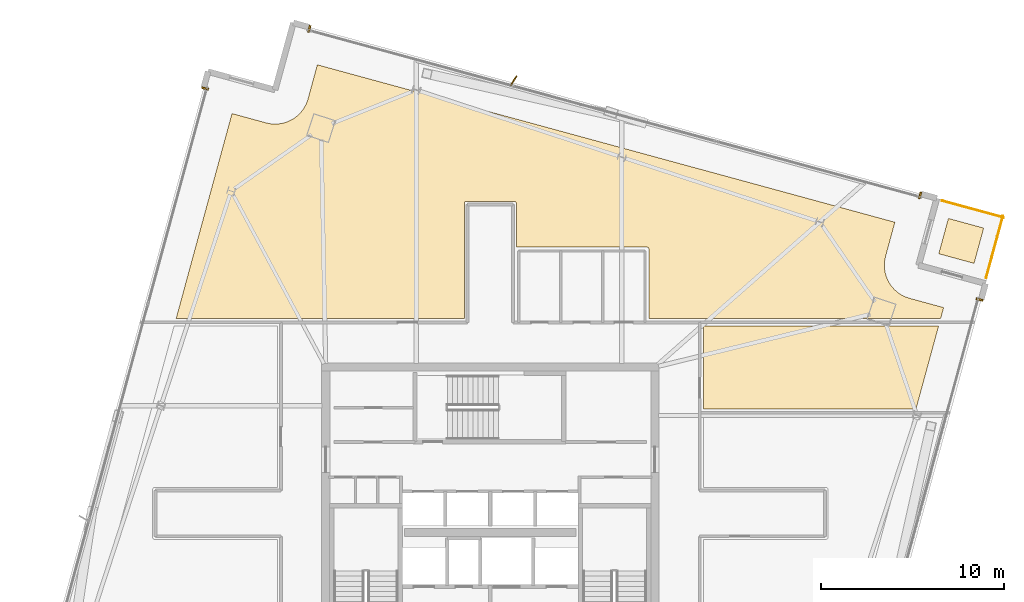
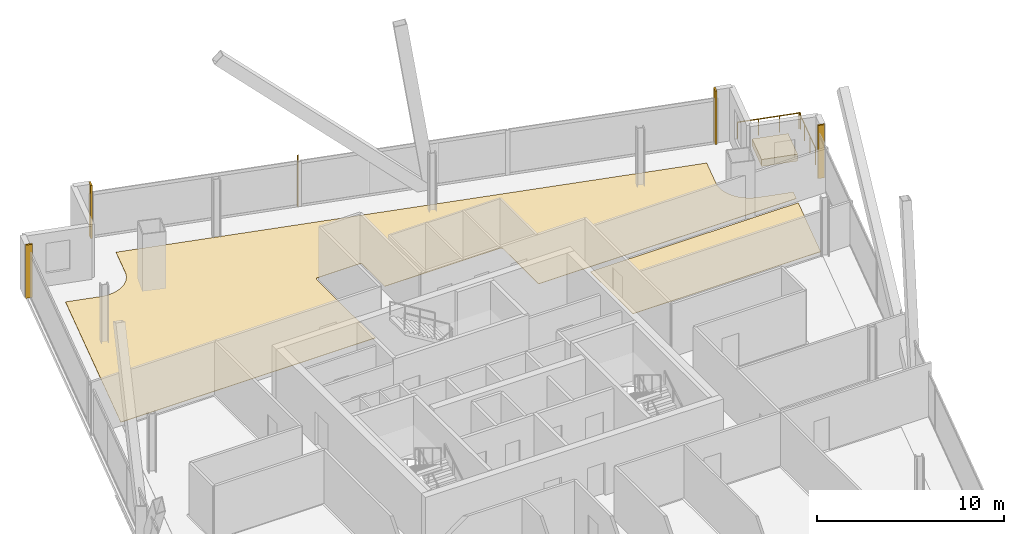
# One storey, part 26 of 26: 7 coverings, 2 railings, 1 shading device.
"""IFC4 building model written with IfcOpenShell, lengths in metres."""

import ifcopenshell
import ifcopenshell.guid

model = None  # the IFC model being written
_history = None  # IfcOwnerHistory: only IFC2X3 demands one
_inside = {}  # id of a spatial element -> (the spatial element, [elements in it])
_under = {}  # id of a project, library or spatial element -> (it, [spatial elements below it])
_declared = {}  # id of a project -> (the project, [libraries it declares])
_typed = {}  # id of a type object -> (the type object, [elements of that type])
_made_of = {}  # id of a material, layer set ... -> (it, [elements and type objects made of it])


def new_model(schema):
    """Start an empty IFC model of exactly this schema.

    Asked for "IFC4X3", IfcOpenShell would pick the latest addendum, in which some entities
    have other attributes; the version numbers below select the first issue.
    IFC2X3 requires an IfcOwnerHistory on every rooted entity: one is made here for all.
    """
    global model, _history
    if schema == "IFC4X3":
        model = ifcopenshell.file(schema_version=(4, 3, 0, 0))
    else:
        model = ifcopenshell.file(schema=schema)
    _inside.clear()
    _under.clear()
    _declared.clear()
    _typed.clear()
    _made_of.clear()
    _history = None
    if model.schema == "IFC2X3":
        org = make("IfcOrganization", Name="unknown")
        user = make(
            "IfcPersonAndOrganization",
            ThePerson=make("IfcPerson", FamilyName="unknown"),
            TheOrganization=org,
        )
        app = make(
            "IfcApplication",
            ApplicationDeveloper=org,
            Version="unknown",
            ApplicationFullName="unknown",
            ApplicationIdentifier="unknown",
        )
        _history = make(
            "IfcOwnerHistory",
            OwningUser=user,
            OwningApplication=app,
            ChangeAction="ADDED",
            CreationDate=0,
        )
    return model


def make(cls, **values):
    """One entity of the class cls with the attributes given. An attribute that is None is left unset."""
    return model.create_entity(
        cls, **{name: value for name, value in values.items() if value is not None}
    )


def rooted(cls, **values):
    """An entity with a GlobalId (a new one), such as an element, a storey or a relation."""
    return make(cls, GlobalId=ifcopenshell.guid.new(), OwnerHistory=_history, **values)


def si_unit(unit_type, name, prefix=None):
    """IfcSIUnit, for example si_unit("LENGTHUNIT", "METRE", prefix="MILLI")."""
    return make("IfcSIUnit", UnitType=unit_type, Prefix=prefix, Name=name)


def assignment(units):
    """IfcUnitAssignment: the units of a project."""
    return None if units is None else make("IfcUnitAssignment", Units=units)


def point(xyz):
    """IfcCartesianPoint."""
    return None if xyz is None else make("IfcCartesianPoint", Coordinates=xyz)


def direction(xyz):
    """IfcDirection."""
    return None if xyz is None else make("IfcDirection", DirectionRatios=xyz)


def frame(location, z_axis=None, x_axis=None):
    """IfcAxis2Placement3D, a coordinate frame: its origin and axes. An axis left out is left unset."""
    return make(
        "IfcAxis2Placement3D",
        Location=point(location),
        Axis=direction(z_axis),
        RefDirection=direction(x_axis),
    )


def frame_2d(location, x_axis=None):
    """IfcAxis2Placement2D, a coordinate frame in the plane: its origin and x axis."""
    return make(
        "IfcAxis2Placement2D", Location=point(location), RefDirection=direction(x_axis)
    )


def origin():
    """The frame at (0, 0, 0) with its axes left unset."""
    return frame((0.0, 0.0, 0.0))


def origin_2d():
    """The frame at (0, 0) in the plane with its x axis left unset."""
    return frame_2d((0.0, 0.0))


def place(relative_to, where):
    """IfcLocalPlacement: puts the frame where relative to a parent placement (None: the world)."""
    return make(
        "IfcLocalPlacement", PlacementRelTo=relative_to, RelativePlacement=where
    )


def context(
    kind, dimensions, precision=None, world=None, true_north=None, identifier=None
):
    """IfcGeometricRepresentationContext, for example the 3D "Model" context."""
    return make(
        "IfcGeometricRepresentationContext",
        ContextIdentifier=identifier,
        ContextType=kind,
        CoordinateSpaceDimension=dimensions,
        Precision=precision,
        WorldCoordinateSystem=world,
        TrueNorth=true_north,
    )


def subcontext(parent, identifier, kind, view, scale=None):
    """IfcGeometricRepresentationSubContext, for example "Body" below "Model"."""
    return make(
        "IfcGeometricRepresentationSubContext",
        ContextIdentifier=identifier,
        ContextType=kind,
        ParentContext=parent,
        TargetScale=scale,
        TargetView=view,
    )


def project(units=None, contexts=None):
    """IfcProject with its units and contexts."""
    return rooted(
        "IfcProject",
        Name="project",
        RepresentationContexts=contexts,
        UnitsInContext=assignment(units),
    )


def spatial(cls, under=None, at=None, **own):
    """A site, building, storey or space (cls), placed at a placement, below another one or the project."""
    s = rooted(cls, ObjectPlacement=at, **own)
    if under is not None:
        _under.setdefault(under.id(), (under, []))[1].append(s)
    return s


def polyline(points):
    """IfcPolyline through the points."""
    return make("IfcPolyline", Points=[point(p) for p in points])


def profile(cls, at=None, kind="AREA", **sizes):
    """A parametric profile (cls). Its sizes go by their IFC names, for example OverallWidth=200.0."""
    return make(cls, ProfileType=kind, Position=at, **sizes)


def rectangle(**sizes):
    """IfcRectangleProfileDef."""
    return profile("IfcRectangleProfileDef", **sizes)


def outline(outer, holes=None, kind="AREA"):
    """IfcArbitraryClosedProfileDef: a profile drawn as a closed curve; with holes, ...WithVoids."""
    if holes is None:
        return make("IfcArbitraryClosedProfileDef", ProfileType=kind, OuterCurve=outer)
    return make(
        "IfcArbitraryProfileDefWithVoids",
        ProfileType=kind,
        OuterCurve=outer,
        InnerCurves=holes,
    )


def extrude(swept, where, along, depth):
    """IfcExtrudedAreaSolid: the profile swept, set in the frame where, extruded along a direction by depth."""
    return make(
        "IfcExtrudedAreaSolid",
        SweptArea=swept,
        Position=where,
        ExtrudedDirection=direction(along),
        Depth=depth,
    )


def shape(context_of_items, identifier, shape_type, items):
    """IfcShapeRepresentation: the items that make up one representation, for example the "Body"."""
    return make(
        "IfcShapeRepresentation",
        ContextOfItems=context_of_items,
        RepresentationIdentifier=identifier,
        RepresentationType=shape_type,
        Items=items,
    )


def source(mapping_origin, context_of_items, identifier, shape_type, items):
    """IfcRepresentationMap: a shape defined once, which mapped items show again and again."""
    return make(
        "IfcRepresentationMap",
        MappingOrigin=mapping_origin,
        MappedRepresentation=shape(context_of_items, identifier, shape_type, items),
    )


def transform(
    local_origin,
    x_axis=None,
    y_axis=None,
    z_axis=None,
    scale=None,
    scale2=None,
    scale3=None,
    uniform=True,
):
    """IfcCartesianTransformationOperator3D, or its non-uniform kind. x_axis, y_axis, z_axis: its Axis1, 2, 3."""
    if uniform:
        return make(
            "IfcCartesianTransformationOperator3D",
            Axis1=direction(x_axis),
            Axis2=direction(y_axis),
            LocalOrigin=point(local_origin),
            Scale=scale,
            Axis3=direction(z_axis),
        )
    return make(
        "IfcCartesianTransformationOperator3DnonUniform",
        Axis1=direction(x_axis),
        Axis2=direction(y_axis),
        LocalOrigin=point(local_origin),
        Scale=scale,
        Axis3=direction(z_axis),
        Scale2=scale2,
        Scale3=scale3,
    )


def mapped(mapping_source, mapping_target):
    """IfcMappedItem: shows the shape of a source again, moved by a transform."""
    return make(
        "IfcMappedItem", MappingSource=mapping_source, MappingTarget=mapping_target
    )


def material(Name=None, Category=None):
    """IfcMaterial."""
    return make("IfcMaterial", Name=Name, Category=Category)


def layer(
    of_material, thickness, ventilated=None, Name=None, Category=None, Priority=None
):
    """IfcMaterialLayer: one layer of a wall or slab, of a material (None: an air gap)."""
    return make(
        "IfcMaterialLayer",
        Material=of_material,
        LayerThickness=thickness,
        IsVentilated=ventilated,
        Name=Name,
        Category=Category,
        Priority=Priority,
    )


def layer_set(layers, Name=None):
    """IfcMaterialLayerSet."""
    return make("IfcMaterialLayerSet", MaterialLayers=layers, LayerSetName=Name)


def made_of(thing, what):
    """Note that an element or type object is made of a material, layer set ...; save() writes the relation."""
    if what is not None:
        _made_of.setdefault(what.id(), (what, []))[1].append(thing)
    return thing


def type_object(cls, material=None, **own):
    """A type object (cls), such as IfcWallType, which elements share."""
    return made_of(rooted(cls, **own), material)


def element(
    cls,
    number,
    at=None,
    inside=None,
    cuts=None,
    type_object=None,
    material=None,
    context=None,
    identifier="Body",
    shape_type=None,
    held_by="IfcProductDefinitionShape",
    body=None,
    shapes=None,
    **own,
):
    """One element of the class cls, such as IfcWall. Its Tag is "e" and its number.

    at: its placement. inside: the storey or other place that contains it. cuts: it is an
    opening in that element (IfcRelVoidsElement). A single representation is given by context,
    identifier, shape_type and body (its items); several are given by shapes. held_by: the class
    of the entity that holds the representations. save() writes the other relations.
    """
    e = rooted(cls, Tag="e%d" % number, ObjectPlacement=at, **own)
    if body is not None:
        shapes = [shape(context, identifier, shape_type, body)]
    if shapes is not None:
        e.Representation = make(held_by, Representations=shapes)
    if inside is not None:
        _inside.setdefault(inside.id(), (inside, []))[1].append(e)
    if cuts is not None:
        rooted(
            "IfcRelVoidsElement", RelatingBuildingElement=cuts, RelatedOpeningElement=e
        )
    if type_object is not None:
        _typed.setdefault(type_object.id(), (type_object, []))[1].append(e)
    return made_of(e, material)


def aggregate(whole, parts):
    """IfcRelAggregates: a whole, such as a stair, and the parts it consists of."""
    return rooted("IfcRelAggregates", RelatingObject=whole, RelatedObjects=parts)


def save(model, path):
    """Write the relations noted so far, then the file.

    IfcRelAggregates (storeys below a building ...), IfcRelContainedInSpatialStructure (elements
    in a storey), IfcRelDefinesByType, IfcRelAssociatesMaterial and IfcRelDeclares: one each for
    every whole, place, type object, material and project.
    """
    for whole, parts in _under.values():
        aggregate(whole, parts)
    for where, things in _inside.values():
        rooted(
            "IfcRelContainedInSpatialStructure",
            RelatedElements=things,
            RelatingStructure=where,
        )
    for kind, things in _typed.values():
        rooted("IfcRelDefinesByType", RelatedObjects=things, RelatingType=kind)
    for what, things in _made_of.values():
        rooted("IfcRelAssociatesMaterial", RelatedObjects=things, RelatingMaterial=what)
    for by, libraries in _declared.values():
        rooted("IfcRelDeclares", RelatingContext=by, RelatedDefinitions=libraries)
    model.write(path)


model = new_model("IFC4")

# Units and contexts
model_context = context("Model", 3, precision=1e-05, world=origin(), true_north=direction((0.0, 1.0)))
body_context = subcontext(model_context, "Body", "Model", "MODEL_VIEW")
ifc_project = project(units=[si_unit("LENGTHUNIT", "METRE"), si_unit("AREAUNIT", "SQUARE_METRE"), si_unit("VOLUMEUNIT", "CUBIC_METRE"), si_unit("PLANEANGLEUNIT", "RADIAN"), si_unit("MASSUNIT", "GRAM", prefix="KILO")], contexts=[model_context])

# Site, building, storey
site_placement = place(None, origin())
site = spatial("IfcSite", under=ifc_project, at=site_placement, CompositionType="ELEMENT")
building_placement = place(site_placement, origin())
building = spatial("IfcBuilding", under=site, at=building_placement, Name="Haldenkirk Collegiate Tower", CompositionType="ELEMENT")
storey_placement = place(building_placement, frame((0.0, 0.0, 278.699951171875)))
storey = spatial("IfcBuildingStorey", under=building, at=storey_placement, Name="L70", CompositionType="ELEMENT", Elevation=278.699951171875)

# Coverings
ifc_material_1 = material(Name="Polished collegiate terrazzo", Category="concrete")
ifc_layer_1 = layer(ifc_material_1, 0.02490234375)
ifc_layer_set_1 = layer_set([ifc_layer_1], Name="Polished collegiate terrazzo")
covering_type_1 = type_object("IfcCoveringType", Name="COV-FLOOR-TERRAZZO", PredefinedType="FLOORING", material=ifc_layer_set_1)
covering_1_placement = place(storey_placement, origin())
element("IfcCovering", 1, at=covering_1_placement, inside=storey, type_object=covering_type_1, Name="L70 academic room finish 06", PredefinedType="FLOORING", context=body_context, shape_type="SweptSolid", body=[
    extrude(outline(polyline([(23.73583984375, 47.35791015625), (23.74169921875, 47.3564453125), (23.9091796875, 47.319580078125), (23.9208984375, 47.3173828125), (24.091552734375, 47.297119140625), (24.103271484375, 47.29638671875), (24.27490234375, 47.292724609375), (24.28662109375, 47.293212890625), (24.4580078125, 47.306396484375), (24.4697265625, 47.307861328125), (24.638671875, 47.337890625), (24.650146484375, 47.340576171875), (24.8154296875, 47.386962890625), (24.826904296875, 47.390625), (24.98681640625, 47.453125), (24.99755859375, 47.4580078125), (25.150634765625, 47.535888671875), (25.160888671875, 47.541748046875), (25.305419921875, 47.634033203125), (25.315185546875, 47.640869140625), (25.4501953125, 47.7470703125), (25.458984375, 47.7548828125), (25.5830078125, 47.873779296875), (25.5908203125, 47.882080078125), (25.70263671875, 48.0126953125), (25.7099609375, 48.02197265625), (25.808349609375, 48.162841796875), (25.814697265625, 48.1728515625), (25.898681640625, 48.322509765625), (25.90380859375, 48.3330078125), (25.972900390625, 48.490234375), (25.97705078125, 48.501220703125), (26.0302734375, 48.66455078125), (26.031982421875, 48.670166015625), (26.53955078125, 50.5322265625), (58.121826171875, 41.921875), (57.6142578125, 40.059814453125), (57.61279296875, 40.05419921875), (57.57568359375, 39.886474609375), (57.57373046875, 39.874755859375), (57.553466796875, 39.704345703125), (57.552734375, 39.692626953125), (57.549072265625, 39.52099609375), (57.549560546875, 39.509033203125), (57.562744140625, 39.337890625), (57.564208984375, 39.326171875), (57.59423828125, 39.156982421875), (57.596923828125, 39.1455078125), (57.643310546875, 38.980224609375), (57.64697265625, 38.968994140625), (57.70947265625, 38.80908203125), (57.71435546875, 38.79833984375), (57.7919921875, 38.645263671875), (57.798095703125, 38.635009765625), (57.890380859375, 38.490234375), (57.897216796875, 38.480712890625), (58.00341796875, 38.345703125), (58.010986328125, 38.3369140625), (58.1298828125, 38.212890625), (58.138427734375, 38.204833984375), (58.268798828125, 38.09326171875), (58.2783203125, 38.0859375), (58.419189453125, 37.987548828125), (58.42919921875, 37.981201171875), (58.578857421875, 37.897216796875), (58.58935546875, 37.89208984375), (58.74658203125, 37.822998046875), (58.757568359375, 37.81884765625), (58.9208984375, 37.765380859375), (58.926513671875, 37.763916015625), (60.78857421875, 37.256103515625), (60.623291015625, 36.64990234375), (44.669921875, 36.64990234375), (44.669921875, 40.449951171875), (44.66943359375, 40.4619140625), (44.667724609375, 40.473388671875), (44.664794921875, 40.48486328125), (44.660888671875, 40.495849609375), (44.65576171875, 40.506591796875), (44.64990234375, 40.5166015625), (44.642822265625, 40.526123046875), (44.635009765625, 40.534912109375), (44.626220703125, 40.542724609375), (44.61669921875, 40.5498046875), (44.606689453125, 40.555908203125), (44.595947265625, 40.560791015625), (44.584716796875, 40.564697265625), (44.573486328125, 40.567626953125), (44.561767578125, 40.5693359375), (44.550048828125, 40.570068359375), (37.449951171875, 40.570068359375), (37.438232421875, 40.5693359375), (37.426513671875, 40.567626953125), (37.419921875, 40.56591796875), (37.419921875, 42.949951171875), (37.41943359375, 42.9619140625), (37.417724609375, 42.973388671875), (37.414794921875, 42.98486328125), (37.410888671875, 42.995849609375), (37.40576171875, 43.006591796875), (37.39990234375, 43.0166015625), (37.392822265625, 43.026123046875), (37.385009765625, 43.034912109375), (37.376220703125, 43.042724609375), (37.36669921875, 43.0498046875), (37.356689453125, 43.055908203125), (37.345947265625, 43.060791015625), (37.334716796875, 43.064697265625), (37.323486328125, 43.067626953125), (37.311767578125, 43.0693359375), (37.300048828125, 43.070068359375), (34.699951171875, 43.070068359375), (34.688232421875, 43.0693359375), (34.676513671875, 43.067626953125), (34.665283203125, 43.064697265625), (34.654052734375, 43.060791015625), (34.643310546875, 43.055908203125), (34.63330078125, 43.0498046875), (34.623779296875, 43.042724609375), (34.614990234375, 43.034912109375), (34.607177734375, 43.026123046875), (34.60009765625, 43.0166015625), (34.59423828125, 43.006591796875), (34.589111328125, 42.995849609375), (34.585205078125, 42.98486328125), (34.582275390625, 42.973388671875), (34.58056640625, 42.9619140625), (34.580078125, 42.949951171875), (34.580078125, 36.64990234375), (18.816162109375, 36.64990234375), (21.873779296875, 47.865478515625), (23.73583984375, 47.35791015625)])), origin(), (0.0, 0.0, 1.0), 0.025146484375),
])
covering_2_placement = place(storey_placement, origin())
element("IfcCovering", 2, at=covering_2_placement, inside=storey, type_object=covering_type_1, Name="L70 academic room finish 10", PredefinedType="FLOORING", context=body_context, shape_type="SweptSolid", body=[
    extrude(outline(polyline([(59.273681640625, 31.699951171875), (47.64990234375, 31.699951171875), (47.64990234375, 36.25), (60.51416015625, 36.25), (59.273681640625, 31.699951171875)])), origin(), (0.0, 0.0, 1.0), 0.025146484375),
])
ifc_material_2 = material(Name="Precast concrete f'c 40 MPa", Category="concrete")
ifc_layer_2 = layer(ifc_material_2, 0.449951171875)
ifc_layer_set_2 = layer_set([ifc_layer_2], Name="Precast concrete f'c 40 MPa")
covering_type_2 = type_object("IfcCoveringType", Name="COV-PLANTER-450", PredefinedType="USERDEFINED", material=ifc_layer_set_2)
covering_3_placement = place(storey_placement, origin())
element("IfcCovering", 3, at=covering_3_placement, inside=storey, type_object=covering_type_2, Name="L70 planted garden planter bed", ObjectType="PLANTER", PredefinedType="USERDEFINED", context=body_context, shape_type="SweptSolid", body=[
    extrude(outline(polyline([(62.452880859375, 39.673583984375), (60.5234375, 40.19970703125), (61.049560546875, 42.129150390625), (62.97900390625, 41.60302734375), (62.452880859375, 39.673583984375)])), origin(), (0.0, 0.0, 1.0), 0.449951171875),
])

# Railings
ifc_material_3 = material(Name="Anodised architectural bronze aluminium", Category="aluminium")
railing_type = type_object("IfcRailingType", Name="RLG-TERR-BALUSTRADE-1100", PredefinedType="BALUSTRADE", material=ifc_material_3)
railing_1_placement = place(storey_placement, frame((63.11083984375, 38.89306640625, 0.0)))
element("IfcRailing", 4, at=railing_1_placement, inside=storey, type_object=railing_type, Name="L70 terrace guard balustrade 1-1", PredefinedType="BALUSTRADE", context=body_context, shape_type="SweptSolid", body=[
    extrude(rectangle(XDim=0.048095703125, YDim=0.048095703125, at=origin_2d()), frame((0.0, 0.0, 1.076171875), z_axis=(0.263016487015, 0.96479133887, 0.0), x_axis=(-0.96479133887, 0.263016487015, 0.0)), (0.0, 0.0, 1.0), 3.47998046875),
    extrude(rectangle(XDim=0.0419921875, YDim=0.0419921875, at=origin_2d()), origin(), (0.0, 0.0, 1.0), 1.052001953125),
    extrude(rectangle(XDim=0.0419921875, YDim=0.0419921875, at=origin_2d()), frame((0.30517578125, 1.119140625, 0.0)), (0.0, 0.0, 1.0), 1.052001953125),
    extrude(rectangle(XDim=0.0419921875, YDim=0.0419921875, at=origin_2d()), frame((0.610107421875, 2.23828125, 0.0)), (0.0, 0.0, 1.0), 1.052001953125),
    extrude(rectangle(XDim=0.0419921875, YDim=0.0419921875, at=origin_2d()), frame((0.915283203125, 3.357421875, 0.0)), (0.0, 0.0, 1.0), 1.052001953125),
])
railing_2_placement = place(storey_placement, frame((64.068359375, 42.1767578125, 0.0)))
element("IfcRailing", 5, at=railing_2_placement, inside=storey, type_object=railing_type, Name="L70 terrace guard balustrade 2-1", PredefinedType="BALUSTRADE", context=body_context, shape_type="SweptSolid", body=[
    extrude(rectangle(XDim=0.048095703125, YDim=0.048095703125, at=origin_2d()), frame((0.0, 0.0, 1.076171875), z_axis=(-0.96479133887, 0.263016487015, 0.0), x_axis=(-0.263016487015, -0.96479133887, 0.0)), (0.0, 0.0, 1.0), 3.47998046875),
    extrude(rectangle(XDim=0.0419921875, YDim=0.0419921875, at=origin_2d()), origin(), (0.0, 0.0, 1.0), 1.052001953125),
    extrude(rectangle(XDim=0.0419921875, YDim=0.0419921875, at=origin_2d()), frame((-1.119140625, 0.30517578125, 0.0)), (0.0, 0.0, 1.0), 1.052001953125),
    extrude(rectangle(XDim=0.0419921875, YDim=0.0419921875, at=origin_2d()), frame((-2.23828125, 0.610107421875, 0.0)), (0.0, 0.0, 1.0), 1.052001953125),
    extrude(rectangle(XDim=0.0419921875, YDim=0.0419921875, at=origin_2d()), frame((-3.357421875, 0.915283203125, 0.0)), (0.0, 0.0, 1.0), 1.052001953125),
])

# Coverings
ifc_layer_3 = layer(ifc_material_3, 0.06005859375)
ifc_layer_set_3 = layer_set([ifc_layer_3], Name="Anodised architectural bronze aluminium")
covering_type_3 = type_object("IfcCoveringType", Name="COV-CLAD-BRONZE-60", PredefinedType="CLADDING", material=ifc_layer_set_3)
shared_shape_1 = source(origin(), body_context, "Body", "SweptSolid", [
    extrude(rectangle(XDim=0.10009765625, YDim=0.3798828125, at=origin_2d()), origin(), (0.0, 0.0, 1.0), 3.47998046875),
])
for number, where, z_axis, x_axis, name in (
    (6, (62.753173828125, 37.69482421875, 0.0), (0.0, 0.0, 1.0), (-0.263031214458, -0.964787323829, 0.0), "L70 recessed curtain-wall bronze jamb closure SJL"),
    (7, (26.100830078125, 52.496826171875, 0.0), (0.0, 0.0, 1.0), (0.964787323829, -0.263031214458, 0.0), "L70 recessed curtain-wall bronze jamb closure EJL"),
    (8, (59.4970703125, 43.39208984375, 0.0), (0.0, 0.0, 1.0), (0.964787323829, -0.263031214458, 0.0), "L70 recessed curtain-wall bronze jamb closure EJR"),
    (9, (20.40380859375, 49.24072265625, 0.0), (0.0, 0.0, 1.0), (0.263031214458, 0.964787323829, 0.0), "L70 recessed curtain-wall bronze jamb closure NJR"),
):
    element("IfcCovering", number, at=place(storey_placement, frame(where, z_axis=z_axis, x_axis=x_axis)), inside=storey, type_object=covering_type_3, Name=name, PredefinedType="CLADDING", context=body_context, shape_type="MappedRepresentation", body=[
        mapped(shared_shape_1, transform((0.0, 0.0, 0.0), x_axis=(1.0, 0.0, 0.0), y_axis=(0.0, 1.0, 0.0), z_axis=(0.0, 0.0, 1.0), scale=1.0)),
    ])

# Shading device
ifc_layer_4 = layer(ifc_material_3, 0.06494140625)
ifc_layer_set_4 = layer_set([ifc_layer_4], Name="Anodised architectural bronze aluminium")
shading_device_type = type_object("IfcShadingDeviceType", Name="SHD-FIN-BRONZE-620", PredefinedType="USERDEFINED", material=ifc_layer_set_4)
shared_shape_2 = source(origin(), body_context, "Body", "SweptSolid", [
    extrude(rectangle(XDim=0.6201171875, YDim=0.06494140625, at=origin_2d()), origin(), (0.0, 0.0, 1.0), 2.93798828125),
])
shading_device_placement = place(storey_placement, frame((37.277099609375, 49.662109375, 0.0), z_axis=(0.0, 0.0, 1.0), x_axis=(0.518773258161, 0.854911870673, 0.0)))
element("IfcShadingDevice", 10, at=shading_device_placement, inside=storey, type_object=shading_device_type, Name="L70 folded bronze solar fin 1", ObjectType="FIN", PredefinedType="USERDEFINED", context=body_context, shape_type="MappedRepresentation", body=[
    mapped(shared_shape_2, transform((0.0, 0.0, 0.0), x_axis=(1.0, 0.0, 0.0), y_axis=(0.0, 1.0, 0.0), z_axis=(0.0, 0.0, 1.0), scale=1.0)),
])

save(model, "model.ifc")
